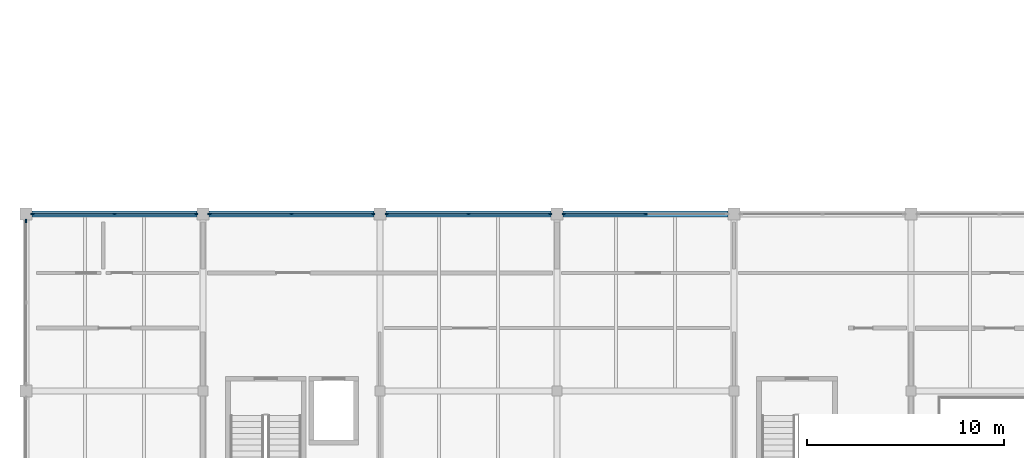
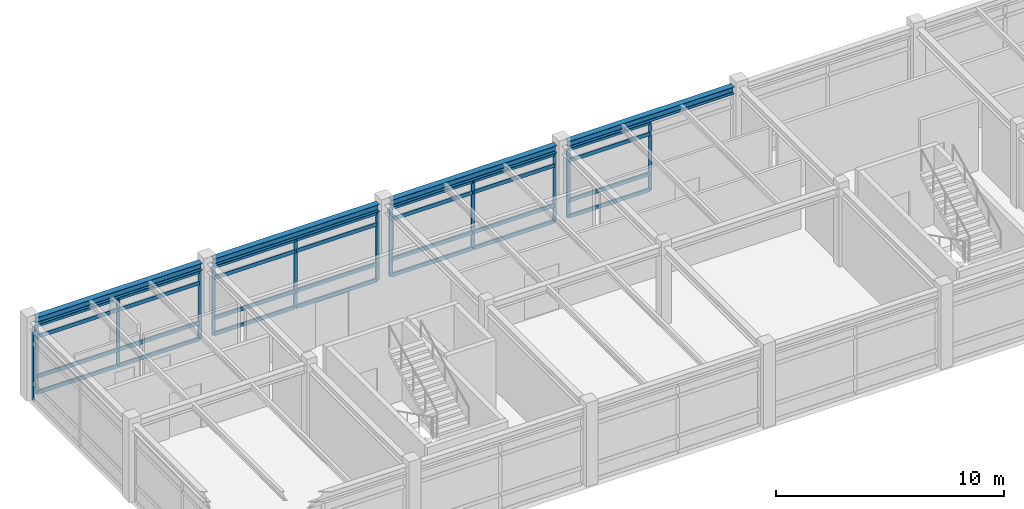
# One storey, part 7 of 33: 40 members, 4 beams, 5 elements without a shape of their own.
"""IFC4 building model written with IfcOpenShell, lengths in metres."""

from ifc_helpers import new_model, si_unit, direction, frame, origin, origin_2d, place, context, subcontext, project, spatial, rectangle, i_section, extrude, material, material_profile, profile_set, type_object, element, aggregate, save


model = new_model("IFC4")

# Units and contexts
model_context = context("Model", 3, precision=1e-05, world=origin(), true_north=direction((0.0, 1.0)))
body_context = subcontext(model_context, "Body", "Model", "MODEL_VIEW")
ifc_project = project(units=[si_unit("LENGTHUNIT", "METRE"), si_unit("AREAUNIT", "SQUARE_METRE"), si_unit("VOLUMEUNIT", "CUBIC_METRE"), si_unit("PLANEANGLEUNIT", "RADIAN"), si_unit("MASSUNIT", "GRAM", prefix="KILO")], contexts=[model_context])

# Site, building, storey
site_placement = place(None, origin())
site = spatial("IfcSite", under=ifc_project, at=site_placement, CompositionType="ELEMENT")
building_placement = place(site_placement, origin())
building = spatial("IfcBuilding", under=site, at=building_placement, Name="Bozkorgan Art Gallery", CompositionType="ELEMENT")
storey_placement = place(building_placement, frame((0.0, 0.0, 19.5)))
storey = spatial("IfcBuildingStorey", under=building, at=storey_placement, Name="L04", CompositionType="ELEMENT", Elevation=19.5)

# Beams
ifc_material_1 = material(Name="Steel S355J2", Category="steel")
ifc_material_profile_1 = material_profile(ifc_material_1, i_section(OverallWidth=0.300048828125, OverallDepth=0.389892578125, WebThickness=0.010986328125, FlangeThickness=0.01904296875, FilletRadius=0.027099609375, at=origin_2d()), Name="HEA 400")
ifc_profile_set_1 = profile_set([ifc_material_profile_1], Name="Steel S355J2")
beam_type = type_object("IfcBeamType", Name="BEAM-SP-65", PredefinedType="SPANDREL", material=ifc_profile_set_1)
for number, where, z_axis, x_axis, name in (
    (1, (2.300048828125, 20.0, 3.985107421875), (1.0, 0.0, 0.0), (0.0, 1.0, 0.0), "V1 L04 spandrel X (2-11, 20.0)"),
    (2, (11.300048828125, 20.0, 3.985107421875), (1.0, 0.0, 0.0), (0.0, 1.0, 0.0), "V1 L04 spandrel X (11-20, 20.0)"),
    (3, (20.300048828125, 20.0, 3.985107421875), (1.0, 0.0, 0.0), (0.0, 1.0, 0.0), "V1 L04 spandrel X (20-29, 20.0)"),
    (4, (29.300048828125, 20.0, 3.985107421875), (1.0, 0.0, 0.0), (0.0, 1.0, 0.0), "V1 L04 spandrel X (29-38, 20.0)"),
):
    element("IfcBeam", number, at=place(storey_placement, frame(where, z_axis=z_axis, x_axis=x_axis)), inside=storey, type_object=beam_type, Name=name, PredefinedType="SPANDREL", context=body_context, shape_type="SweptSolid", body=[
        extrude(i_section(OverallWidth=0.300048828125, OverallDepth=0.389892578125, WebThickness=0.010986328125, FlangeThickness=0.01904296875, FilletRadius=0.027099609375, at=origin_2d()), origin(), (0.0, 0.0, 1.0), 8.39990234375),
    ])

# Curtain wall, members
ifc_material_2 = material(Name="Anodised Bronze Aluminium", Category="aluminium")
curtain_wall_type = type_object("IfcCurtainWallType", Name="CW-CW-71", PredefinedType="NOTDEFINED", material=ifc_material_2)
curtain_wall_1_placement = place(storey_placement, origin())
curtain_wall_1 = element("IfcCurtainWall", 5, at=curtain_wall_1_placement, inside=storey, type_object=curtain_wall_type, Name="L04 unitised curtain wall CW-V1-L04-1N-02", PredefinedType="NOTDEFINED")
ifc_material_profile_2 = material_profile(ifc_material_2, rectangle(XDim=0.06494140625, YDim=0.179931640625, at=origin_2d()), Name="ALU MULLION 65x180")
ifc_profile_set_2 = profile_set([ifc_material_profile_2], Name="Anodised Bronze Aluminium")
member_type_1 = type_object("IfcMemberType", Name="CWM-01", PredefinedType="MULLION", material=ifc_profile_set_2)
member_1_placement = place(storey_placement, frame((2.347412109375, 20.0, 0.02001953125), z_axis=(0.0, 0.0, 1.0), x_axis=(0.0, 1.0, 0.0)))
member_1 = element("IfcMember", 6, at=member_1_placement, type_object=member_type_1, Name="CW-71 mullion 1", PredefinedType="MULLION", context=body_context, shape_type="SweptSolid", body=[
    extrude(rectangle(XDim=0.06494140625, YDim=0.179931640625, at=origin_2d()), origin(), (0.0, 0.0, 1.0), 3.695068359375),
])
member_2_placement = place(storey_placement, frame((6.5, 20.0, 0.02001953125), z_axis=(0.0, 0.0, 1.0), x_axis=(0.0, 1.0, 0.0)))
member_2 = element("IfcMember", 7, at=member_2_placement, type_object=member_type_1, Name="CW-71 mullion 2", PredefinedType="MULLION", context=body_context, shape_type="SweptSolid", body=[
    extrude(rectangle(XDim=0.06494140625, YDim=0.179931640625, at=origin_2d()), origin(), (0.0, 0.0, 1.0), 3.695068359375),
])
member_3_placement = place(storey_placement, frame((10.652587890625, 20.0, 0.02001953125), z_axis=(0.0, 0.0, 1.0), x_axis=(0.0, 1.0, 0.0)))
member_3 = element("IfcMember", 8, at=member_3_placement, type_object=member_type_1, Name="CW-71 mullion 3", PredefinedType="MULLION", context=body_context, shape_type="SweptSolid", body=[
    extrude(rectangle(XDim=0.06494140625, YDim=0.179931640625, at=origin_2d()), origin(), (0.0, 0.0, 1.0), 3.695068359375),
])

curtain_wall_2_placement = place(storey_placement, origin())
curtain_wall_2 = element("IfcCurtainWall", 9, at=curtain_wall_2_placement, inside=storey, type_object=curtain_wall_type, Name="L04 unitised curtain wall CW-V1-L04-1N-04", PredefinedType="NOTDEFINED")
member_4_placement = place(storey_placement, frame((11.347412109375, 20.0, 0.02001953125), z_axis=(0.0, 0.0, 1.0), x_axis=(0.0, 1.0, 0.0)))
member_4 = element("IfcMember", 10, at=member_4_placement, type_object=member_type_1, Name="CW-71 mullion 1", PredefinedType="MULLION", context=body_context, shape_type="SweptSolid", body=[
    extrude(rectangle(XDim=0.06494140625, YDim=0.179931640625, at=origin_2d()), origin(), (0.0, 0.0, 1.0), 3.695068359375),
])
member_5_placement = place(storey_placement, frame((15.5, 20.0, 0.02001953125), z_axis=(0.0, 0.0, 1.0), x_axis=(0.0, 1.0, 0.0)))
member_5 = element("IfcMember", 11, at=member_5_placement, type_object=member_type_1, Name="CW-71 mullion 2", PredefinedType="MULLION", context=body_context, shape_type="SweptSolid", body=[
    extrude(rectangle(XDim=0.06494140625, YDim=0.179931640625, at=origin_2d()), origin(), (0.0, 0.0, 1.0), 3.695068359375),
])
member_6_placement = place(storey_placement, frame((19.652587890625, 20.0, 0.02001953125), z_axis=(0.0, 0.0, 1.0), x_axis=(0.0, 1.0, 0.0)))
member_6 = element("IfcMember", 12, at=member_6_placement, type_object=member_type_1, Name="CW-71 mullion 3", PredefinedType="MULLION", context=body_context, shape_type="SweptSolid", body=[
    extrude(rectangle(XDim=0.06494140625, YDim=0.179931640625, at=origin_2d()), origin(), (0.0, 0.0, 1.0), 3.695068359375),
])

curtain_wall_3_placement = place(storey_placement, origin())
curtain_wall_3 = element("IfcCurtainWall", 13, at=curtain_wall_3_placement, inside=storey, type_object=curtain_wall_type, Name="L04 unitised curtain wall CW-V1-L04-1N-06", PredefinedType="NOTDEFINED")
member_7_placement = place(storey_placement, frame((20.347412109375, 20.0, 0.02001953125), z_axis=(0.0, 0.0, 1.0), x_axis=(0.0, 1.0, 0.0)))
member_7 = element("IfcMember", 14, at=member_7_placement, type_object=member_type_1, Name="CW-71 mullion 1", PredefinedType="MULLION", context=body_context, shape_type="SweptSolid", body=[
    extrude(rectangle(XDim=0.06494140625, YDim=0.179931640625, at=origin_2d()), origin(), (0.0, 0.0, 1.0), 3.695068359375),
])
member_8_placement = place(storey_placement, frame((24.5, 20.0, 0.02001953125), z_axis=(0.0, 0.0, 1.0), x_axis=(0.0, 1.0, 0.0)))
member_8 = element("IfcMember", 15, at=member_8_placement, type_object=member_type_1, Name="CW-71 mullion 2", PredefinedType="MULLION", context=body_context, shape_type="SweptSolid", body=[
    extrude(rectangle(XDim=0.06494140625, YDim=0.179931640625, at=origin_2d()), origin(), (0.0, 0.0, 1.0), 3.695068359375),
])
member_9_placement = place(storey_placement, frame((28.652587890625, 20.0, 0.02001953125), z_axis=(0.0, 0.0, 1.0), x_axis=(0.0, 1.0, 0.0)))
member_9 = element("IfcMember", 16, at=member_9_placement, type_object=member_type_1, Name="CW-71 mullion 3", PredefinedType="MULLION", context=body_context, shape_type="SweptSolid", body=[
    extrude(rectangle(XDim=0.06494140625, YDim=0.179931640625, at=origin_2d()), origin(), (0.0, 0.0, 1.0), 3.695068359375),
])

curtain_wall_4_placement = place(storey_placement, origin())
curtain_wall_4 = element("IfcCurtainWall", 17, at=curtain_wall_4_placement, inside=storey, type_object=curtain_wall_type, Name="L04 unitised curtain wall CW-V1-L04-1N-08", PredefinedType="NOTDEFINED")
member_10_placement = place(storey_placement, frame((29.347412109375, 20.0, 0.02001953125), z_axis=(0.0, 0.0, 1.0), x_axis=(0.0, 1.0, 0.0)))
member_10 = element("IfcMember", 18, at=member_10_placement, type_object=member_type_1, Name="CW-71 mullion 1", PredefinedType="MULLION", context=body_context, shape_type="SweptSolid", body=[
    extrude(rectangle(XDim=0.06494140625, YDim=0.179931640625, at=origin_2d()), origin(), (0.0, 0.0, 1.0), 3.695068359375),
])
member_11_placement = place(storey_placement, frame((33.5, 20.0, 0.02001953125), z_axis=(0.0, 0.0, 1.0), x_axis=(0.0, 1.0, 0.0)))
member_11 = element("IfcMember", 19, at=member_11_placement, type_object=member_type_1, Name="CW-71 mullion 2", PredefinedType="MULLION", context=body_context, shape_type="SweptSolid", body=[
    extrude(rectangle(XDim=0.06494140625, YDim=0.179931640625, at=origin_2d()), origin(), (0.0, 0.0, 1.0), 3.695068359375),
])

# Curtain wall, member
curtain_wall_5_placement = place(storey_placement, origin())
curtain_wall_5 = element("IfcCurtainWall", 20, at=curtain_wall_5_placement, inside=storey, type_object=curtain_wall_type, Name="L04 unitised curtain wall CW-V1-L04-1W-17", PredefinedType="NOTDEFINED")
member_12_placement = place(storey_placement, frame((2.0, 19.652587890625, 0.02001953125), z_axis=(0.0, 0.0, 1.0), x_axis=(-1.0, 0.0, 0.0)))
member_12 = element("IfcMember", 21, at=member_12_placement, type_object=member_type_1, Name="CW-71 mullion 3", PredefinedType="MULLION", context=body_context, shape_type="SweptSolid", body=[
    extrude(rectangle(XDim=0.06494140625, YDim=0.179931640625, at=origin_2d()), origin(), (0.0, 0.0, 1.0), 3.695068359375),
])
aggregate(curtain_wall_5, [member_12])

# Member
ifc_material_profile_3 = material_profile(ifc_material_2, rectangle(XDim=0.080078125, YDim=0.199951171875, at=origin_2d()), Name="ALU TRANSOM 80x200")
ifc_profile_set_3 = profile_set([ifc_material_profile_3], Name="Anodised Bronze Aluminium")
member_type_2 = type_object("IfcMemberType", Name="CWT-03", PredefinedType="USERDEFINED", material=ifc_profile_set_3)
member_13_placement = place(storey_placement, frame((2.3798828125, 20.0, 0.06005859375), z_axis=(1.0, 0.0, 0.0), x_axis=(0.0, 1.0, 0.0)))
member_13 = element("IfcMember", 22, at=member_13_placement, type_object=member_type_2, Name="CW-71 transom 1.1", ObjectType="TRANSOM", PredefinedType="USERDEFINED", context=body_context, shape_type="SweptSolid", body=[
    extrude(rectangle(XDim=0.080078125, YDim=0.199951171875, at=origin_2d()), origin(), (0.0, 0.0, 1.0), 4.087646484375),
])

member_14_placement = place(storey_placement, frame((2.3798828125, 20.0, 0.919921875), z_axis=(1.0, 0.0, 0.0), x_axis=(0.0, 1.0, 0.0)))
member_14 = element("IfcMember", 23, at=member_14_placement, type_object=member_type_2, Name="CW-71 transom 1.2", ObjectType="TRANSOM", PredefinedType="USERDEFINED", context=body_context, shape_type="SweptSolid", body=[
    extrude(rectangle(XDim=0.080078125, YDim=0.199951171875, at=origin_2d()), origin(), (0.0, 0.0, 1.0), 4.087646484375),
])

member_15_placement = place(storey_placement, frame((2.3798828125, 20.0, 3.06494140625), z_axis=(1.0, 0.0, 0.0), x_axis=(0.0, 1.0, 0.0)))
member_15 = element("IfcMember", 24, at=member_15_placement, type_object=member_type_2, Name="CW-71 transom 1.3", ObjectType="TRANSOM", PredefinedType="USERDEFINED", context=body_context, shape_type="SweptSolid", body=[
    extrude(rectangle(XDim=0.080078125, YDim=0.199951171875, at=origin_2d()), origin(), (0.0, 0.0, 1.0), 4.087646484375),
])

member_16_placement = place(storey_placement, frame((2.3798828125, 20.0, 3.675048828125), z_axis=(1.0, 0.0, 0.0), x_axis=(0.0, 1.0, 0.0)))
member_16 = element("IfcMember", 25, at=member_16_placement, type_object=member_type_2, Name="CW-71 transom 1.4", ObjectType="TRANSOM", PredefinedType="USERDEFINED", context=body_context, shape_type="SweptSolid", body=[
    extrude(rectangle(XDim=0.080078125, YDim=0.199951171875, at=origin_2d()), origin(), (0.0, 0.0, 1.0), 4.087646484375),
])

member_17_placement = place(storey_placement, frame((6.532470703125, 20.0, 0.06005859375), z_axis=(1.0, 0.0, 0.0), x_axis=(0.0, 1.0, 0.0)))
member_17 = element("IfcMember", 26, at=member_17_placement, type_object=member_type_2, Name="CW-71 transom 2.1", ObjectType="TRANSOM", PredefinedType="USERDEFINED", context=body_context, shape_type="SweptSolid", body=[
    extrude(rectangle(XDim=0.080078125, YDim=0.199951171875, at=origin_2d()), origin(), (0.0, 0.0, 1.0), 4.087646484375),
])

member_18_placement = place(storey_placement, frame((6.532470703125, 20.0, 0.919921875), z_axis=(1.0, 0.0, 0.0), x_axis=(0.0, 1.0, 0.0)))
member_18 = element("IfcMember", 27, at=member_18_placement, type_object=member_type_2, Name="CW-71 transom 2.2", ObjectType="TRANSOM", PredefinedType="USERDEFINED", context=body_context, shape_type="SweptSolid", body=[
    extrude(rectangle(XDim=0.080078125, YDim=0.199951171875, at=origin_2d()), origin(), (0.0, 0.0, 1.0), 4.087646484375),
])

member_19_placement = place(storey_placement, frame((6.532470703125, 20.0, 3.06494140625), z_axis=(1.0, 0.0, 0.0), x_axis=(0.0, 1.0, 0.0)))
member_19 = element("IfcMember", 28, at=member_19_placement, type_object=member_type_2, Name="CW-71 transom 2.3", ObjectType="TRANSOM", PredefinedType="USERDEFINED", context=body_context, shape_type="SweptSolid", body=[
    extrude(rectangle(XDim=0.080078125, YDim=0.199951171875, at=origin_2d()), origin(), (0.0, 0.0, 1.0), 4.087646484375),
])

member_20_placement = place(storey_placement, frame((6.532470703125, 20.0, 3.675048828125), z_axis=(1.0, 0.0, 0.0), x_axis=(0.0, 1.0, 0.0)))
member_20 = element("IfcMember", 29, at=member_20_placement, type_object=member_type_2, Name="CW-71 transom 2.4", ObjectType="TRANSOM", PredefinedType="USERDEFINED", context=body_context, shape_type="SweptSolid", body=[
    extrude(rectangle(XDim=0.080078125, YDim=0.199951171875, at=origin_2d()), origin(), (0.0, 0.0, 1.0), 4.087646484375),
])

aggregate(curtain_wall_1, [member_1, member_2, member_3, member_13, member_14, member_15, member_16, member_17, member_18, member_19, member_20])

member_21_placement = place(storey_placement, frame((11.3798828125, 20.0, 0.06005859375), z_axis=(1.0, 0.0, 0.0), x_axis=(0.0, 1.0, 0.0)))
member_21 = element("IfcMember", 30, at=member_21_placement, type_object=member_type_2, Name="CW-71 transom 1.1", ObjectType="TRANSOM", PredefinedType="USERDEFINED", context=body_context, shape_type="SweptSolid", body=[
    extrude(rectangle(XDim=0.080078125, YDim=0.199951171875, at=origin_2d()), origin(), (0.0, 0.0, 1.0), 4.087646484375),
])

member_22_placement = place(storey_placement, frame((11.3798828125, 20.0, 0.919921875), z_axis=(1.0, 0.0, 0.0), x_axis=(0.0, 1.0, 0.0)))
member_22 = element("IfcMember", 31, at=member_22_placement, type_object=member_type_2, Name="CW-71 transom 1.2", ObjectType="TRANSOM", PredefinedType="USERDEFINED", context=body_context, shape_type="SweptSolid", body=[
    extrude(rectangle(XDim=0.080078125, YDim=0.199951171875, at=origin_2d()), origin(), (0.0, 0.0, 1.0), 4.087646484375),
])

member_23_placement = place(storey_placement, frame((11.3798828125, 20.0, 3.06494140625), z_axis=(1.0, 0.0, 0.0), x_axis=(0.0, 1.0, 0.0)))
member_23 = element("IfcMember", 32, at=member_23_placement, type_object=member_type_2, Name="CW-71 transom 1.3", ObjectType="TRANSOM", PredefinedType="USERDEFINED", context=body_context, shape_type="SweptSolid", body=[
    extrude(rectangle(XDim=0.080078125, YDim=0.199951171875, at=origin_2d()), origin(), (0.0, 0.0, 1.0), 4.087646484375),
])

member_24_placement = place(storey_placement, frame((11.3798828125, 20.0, 3.675048828125), z_axis=(1.0, 0.0, 0.0), x_axis=(0.0, 1.0, 0.0)))
member_24 = element("IfcMember", 33, at=member_24_placement, type_object=member_type_2, Name="CW-71 transom 1.4", ObjectType="TRANSOM", PredefinedType="USERDEFINED", context=body_context, shape_type="SweptSolid", body=[
    extrude(rectangle(XDim=0.080078125, YDim=0.199951171875, at=origin_2d()), origin(), (0.0, 0.0, 1.0), 4.087646484375),
])

member_25_placement = place(storey_placement, frame((15.532470703125, 20.0, 0.06005859375), z_axis=(1.0, 0.0, 0.0), x_axis=(0.0, 1.0, 0.0)))
member_25 = element("IfcMember", 34, at=member_25_placement, type_object=member_type_2, Name="CW-71 transom 2.1", ObjectType="TRANSOM", PredefinedType="USERDEFINED", context=body_context, shape_type="SweptSolid", body=[
    extrude(rectangle(XDim=0.080078125, YDim=0.199951171875, at=origin_2d()), origin(), (0.0, 0.0, 1.0), 4.087646484375),
])

member_26_placement = place(storey_placement, frame((15.532470703125, 20.0, 0.919921875), z_axis=(1.0, 0.0, 0.0), x_axis=(0.0, 1.0, 0.0)))
member_26 = element("IfcMember", 35, at=member_26_placement, type_object=member_type_2, Name="CW-71 transom 2.2", ObjectType="TRANSOM", PredefinedType="USERDEFINED", context=body_context, shape_type="SweptSolid", body=[
    extrude(rectangle(XDim=0.080078125, YDim=0.199951171875, at=origin_2d()), origin(), (0.0, 0.0, 1.0), 4.087646484375),
])

member_27_placement = place(storey_placement, frame((15.532470703125, 20.0, 3.06494140625), z_axis=(1.0, 0.0, 0.0), x_axis=(0.0, 1.0, 0.0)))
member_27 = element("IfcMember", 36, at=member_27_placement, type_object=member_type_2, Name="CW-71 transom 2.3", ObjectType="TRANSOM", PredefinedType="USERDEFINED", context=body_context, shape_type="SweptSolid", body=[
    extrude(rectangle(XDim=0.080078125, YDim=0.199951171875, at=origin_2d()), origin(), (0.0, 0.0, 1.0), 4.087646484375),
])

member_28_placement = place(storey_placement, frame((15.532470703125, 20.0, 3.675048828125), z_axis=(1.0, 0.0, 0.0), x_axis=(0.0, 1.0, 0.0)))
member_28 = element("IfcMember", 37, at=member_28_placement, type_object=member_type_2, Name="CW-71 transom 2.4", ObjectType="TRANSOM", PredefinedType="USERDEFINED", context=body_context, shape_type="SweptSolid", body=[
    extrude(rectangle(XDim=0.080078125, YDim=0.199951171875, at=origin_2d()), origin(), (0.0, 0.0, 1.0), 4.087646484375),
])

aggregate(curtain_wall_2, [member_4, member_5, member_6, member_21, member_22, member_23, member_24, member_25, member_26, member_27, member_28])

member_29_placement = place(storey_placement, frame((20.3798828125, 20.0, 0.06005859375), z_axis=(1.0, 0.0, 0.0), x_axis=(0.0, 1.0, 0.0)))
member_29 = element("IfcMember", 38, at=member_29_placement, type_object=member_type_2, Name="CW-71 transom 1.1", ObjectType="TRANSOM", PredefinedType="USERDEFINED", context=body_context, shape_type="SweptSolid", body=[
    extrude(rectangle(XDim=0.080078125, YDim=0.199951171875, at=origin_2d()), origin(), (0.0, 0.0, 1.0), 4.087646484375),
])

member_30_placement = place(storey_placement, frame((20.3798828125, 20.0, 0.919921875), z_axis=(1.0, 0.0, 0.0), x_axis=(0.0, 1.0, 0.0)))
member_30 = element("IfcMember", 39, at=member_30_placement, type_object=member_type_2, Name="CW-71 transom 1.2", ObjectType="TRANSOM", PredefinedType="USERDEFINED", context=body_context, shape_type="SweptSolid", body=[
    extrude(rectangle(XDim=0.080078125, YDim=0.199951171875, at=origin_2d()), origin(), (0.0, 0.0, 1.0), 4.087646484375),
])

member_31_placement = place(storey_placement, frame((20.3798828125, 20.0, 3.06494140625), z_axis=(1.0, 0.0, 0.0), x_axis=(0.0, 1.0, 0.0)))
member_31 = element("IfcMember", 40, at=member_31_placement, type_object=member_type_2, Name="CW-71 transom 1.3", ObjectType="TRANSOM", PredefinedType="USERDEFINED", context=body_context, shape_type="SweptSolid", body=[
    extrude(rectangle(XDim=0.080078125, YDim=0.199951171875, at=origin_2d()), origin(), (0.0, 0.0, 1.0), 4.087646484375),
])

member_32_placement = place(storey_placement, frame((20.3798828125, 20.0, 3.675048828125), z_axis=(1.0, 0.0, 0.0), x_axis=(0.0, 1.0, 0.0)))
member_32 = element("IfcMember", 41, at=member_32_placement, type_object=member_type_2, Name="CW-71 transom 1.4", ObjectType="TRANSOM", PredefinedType="USERDEFINED", context=body_context, shape_type="SweptSolid", body=[
    extrude(rectangle(XDim=0.080078125, YDim=0.199951171875, at=origin_2d()), origin(), (0.0, 0.0, 1.0), 4.087646484375),
])

member_33_placement = place(storey_placement, frame((24.532470703125, 20.0, 0.06005859375), z_axis=(1.0, 0.0, 0.0), x_axis=(0.0, 1.0, 0.0)))
member_33 = element("IfcMember", 42, at=member_33_placement, type_object=member_type_2, Name="CW-71 transom 2.1", ObjectType="TRANSOM", PredefinedType="USERDEFINED", context=body_context, shape_type="SweptSolid", body=[
    extrude(rectangle(XDim=0.080078125, YDim=0.199951171875, at=origin_2d()), origin(), (0.0, 0.0, 1.0), 4.087646484375),
])

member_34_placement = place(storey_placement, frame((24.532470703125, 20.0, 0.919921875), z_axis=(1.0, 0.0, 0.0), x_axis=(0.0, 1.0, 0.0)))
member_34 = element("IfcMember", 43, at=member_34_placement, type_object=member_type_2, Name="CW-71 transom 2.2", ObjectType="TRANSOM", PredefinedType="USERDEFINED", context=body_context, shape_type="SweptSolid", body=[
    extrude(rectangle(XDim=0.080078125, YDim=0.199951171875, at=origin_2d()), origin(), (0.0, 0.0, 1.0), 4.087646484375),
])

member_35_placement = place(storey_placement, frame((24.532470703125, 20.0, 3.06494140625), z_axis=(1.0, 0.0, 0.0), x_axis=(0.0, 1.0, 0.0)))
member_35 = element("IfcMember", 44, at=member_35_placement, type_object=member_type_2, Name="CW-71 transom 2.3", ObjectType="TRANSOM", PredefinedType="USERDEFINED", context=body_context, shape_type="SweptSolid", body=[
    extrude(rectangle(XDim=0.080078125, YDim=0.199951171875, at=origin_2d()), origin(), (0.0, 0.0, 1.0), 4.087646484375),
])

member_36_placement = place(storey_placement, frame((24.532470703125, 20.0, 3.675048828125), z_axis=(1.0, 0.0, 0.0), x_axis=(0.0, 1.0, 0.0)))
member_36 = element("IfcMember", 45, at=member_36_placement, type_object=member_type_2, Name="CW-71 transom 2.4", ObjectType="TRANSOM", PredefinedType="USERDEFINED", context=body_context, shape_type="SweptSolid", body=[
    extrude(rectangle(XDim=0.080078125, YDim=0.199951171875, at=origin_2d()), origin(), (0.0, 0.0, 1.0), 4.087646484375),
])

aggregate(curtain_wall_3, [member_7, member_8, member_9, member_29, member_30, member_31, member_32, member_33, member_34, member_35, member_36])

member_37_placement = place(storey_placement, frame((29.3798828125, 20.0, 0.06005859375), z_axis=(1.0, 0.0, 0.0), x_axis=(0.0, 1.0, 0.0)))
member_37 = element("IfcMember", 46, at=member_37_placement, type_object=member_type_2, Name="CW-71 transom 1.1", ObjectType="TRANSOM", PredefinedType="USERDEFINED", context=body_context, shape_type="SweptSolid", body=[
    extrude(rectangle(XDim=0.080078125, YDim=0.199951171875, at=origin_2d()), origin(), (0.0, 0.0, 1.0), 4.087646484375),
])

member_38_placement = place(storey_placement, frame((29.3798828125, 20.0, 0.919921875), z_axis=(1.0, 0.0, 0.0), x_axis=(0.0, 1.0, 0.0)))
member_38 = element("IfcMember", 47, at=member_38_placement, type_object=member_type_2, Name="CW-71 transom 1.2", ObjectType="TRANSOM", PredefinedType="USERDEFINED", context=body_context, shape_type="SweptSolid", body=[
    extrude(rectangle(XDim=0.080078125, YDim=0.199951171875, at=origin_2d()), origin(), (0.0, 0.0, 1.0), 4.087646484375),
])

member_39_placement = place(storey_placement, frame((29.3798828125, 20.0, 3.06494140625), z_axis=(1.0, 0.0, 0.0), x_axis=(0.0, 1.0, 0.0)))
member_39 = element("IfcMember", 48, at=member_39_placement, type_object=member_type_2, Name="CW-71 transom 1.3", ObjectType="TRANSOM", PredefinedType="USERDEFINED", context=body_context, shape_type="SweptSolid", body=[
    extrude(rectangle(XDim=0.080078125, YDim=0.199951171875, at=origin_2d()), origin(), (0.0, 0.0, 1.0), 4.087646484375),
])

member_40_placement = place(storey_placement, frame((29.3798828125, 20.0, 3.675048828125), z_axis=(1.0, 0.0, 0.0), x_axis=(0.0, 1.0, 0.0)))
member_40 = element("IfcMember", 49, at=member_40_placement, type_object=member_type_2, Name="CW-71 transom 1.4", ObjectType="TRANSOM", PredefinedType="USERDEFINED", context=body_context, shape_type="SweptSolid", body=[
    extrude(rectangle(XDim=0.080078125, YDim=0.199951171875, at=origin_2d()), origin(), (0.0, 0.0, 1.0), 4.087646484375),
])

aggregate(curtain_wall_4, [member_10, member_11, member_37, member_38, member_39, member_40])

save(model, "model.ifc")
